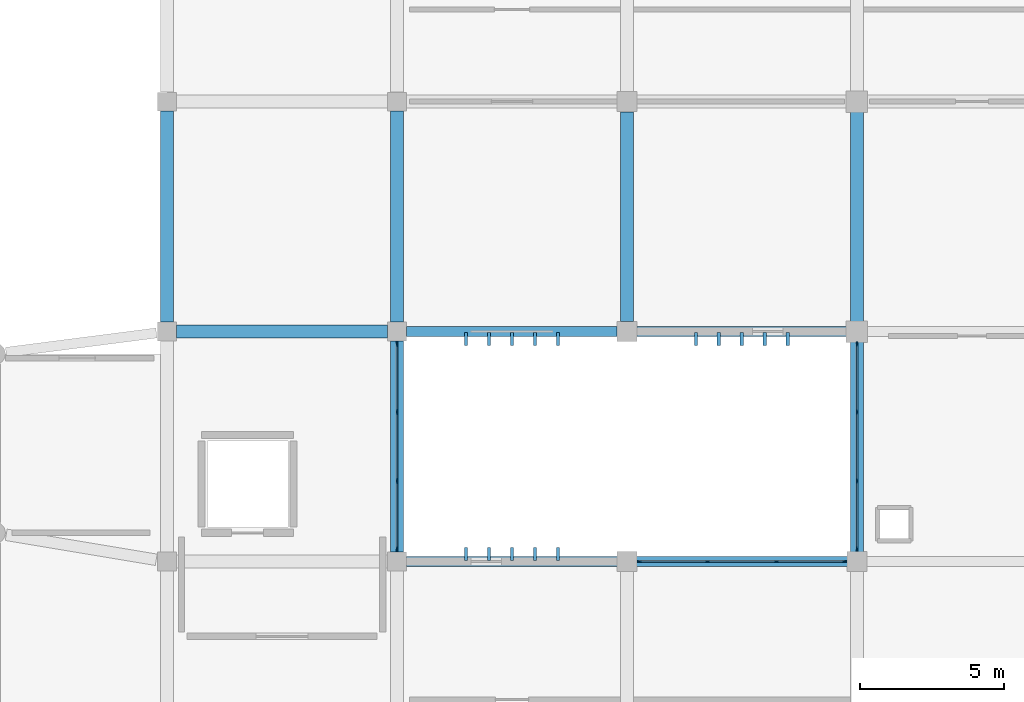
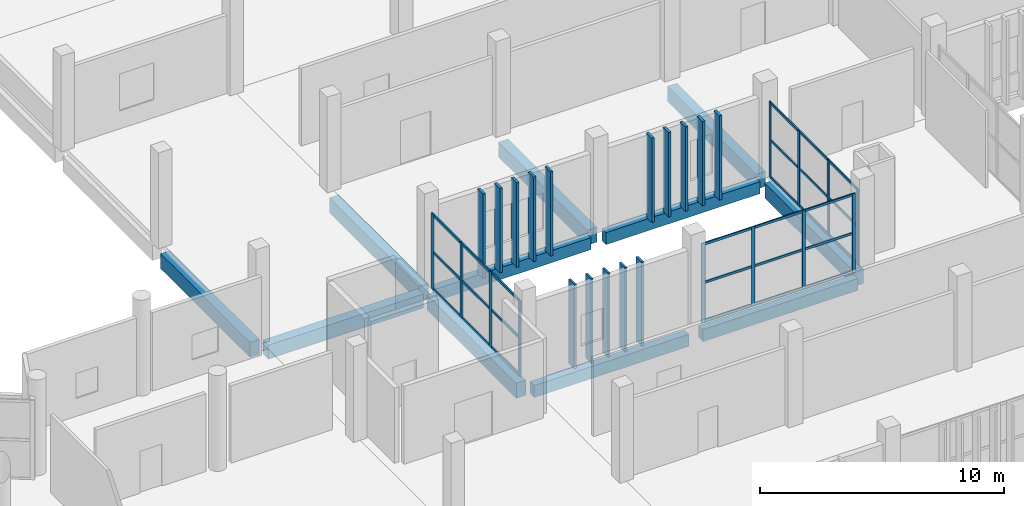
# One storey, part 31 of 106: 54 members, 11 beams, 3 elements without a shape of their own.
"""IFC4 building model written with IfcOpenShell, lengths in metres."""

from ifc_helpers import new_model, si_unit, direction, frame, origin, origin_2d, place, context, subcontext, project, spatial, rectangle, extrude, material, layer, layer_set, material_profile, profile_set, type_object, element, aggregate, save


model = new_model("IFC4")

# Units and contexts
model_context = context("Model", 3, precision=1e-05, world=origin(), true_north=direction((0.0, 1.0)))
body_context = subcontext(model_context, "Body", "Model", "MODEL_VIEW")
ifc_project = project(units=[si_unit("LENGTHUNIT", "METRE"), si_unit("AREAUNIT", "SQUARE_METRE"), si_unit("VOLUMEUNIT", "CUBIC_METRE"), si_unit("PLANEANGLEUNIT", "RADIAN"), si_unit("MASSUNIT", "GRAM", prefix="KILO")], contexts=[model_context])

# Site, building, storey
site_placement = place(None, origin())
site = spatial("IfcSite", under=ifc_project, at=site_placement, CompositionType="ELEMENT")
building_placement = place(site_placement, origin())
building = spatial("IfcBuilding", under=site, at=building_placement, Name="Jelvoka-Kovrelna Polytechnic", CompositionType="ELEMENT")
storey_placement = place(building_placement, frame((0.0, 0.0, 4.800048828125)))
storey = spatial("IfcBuildingStorey", under=building, at=storey_placement, Name="L02", CompositionType="ELEMENT", Elevation=4.800048828125)

# Beams
ifc_material_1 = material(Name="Concrete C40/50", Category="concrete")
ifc_material_profile_1 = material_profile(ifc_material_1, rectangle(XDim=0.449951171875, YDim=0.699951171875, at=origin_2d()), Name="RC 450x700")
ifc_profile_set_1 = profile_set([ifc_material_profile_1], Name="Concrete C40/50")
beam_type_1 = type_object("IfcBeamType", Name="Beam_RC_450x700", PredefinedType="BEAM", material=ifc_profile_set_1)
beam_1_placement = place(storey_placement, frame((48.330078125, 56.0, -0.614990234375), z_axis=(1.0, 0.0, 0.0), x_axis=(0.0, 1.0, 0.0)))
element("IfcBeam", 1, at=beam_1_placement, inside=storey, type_object=beam_type_1, Name="L02 beam 0844", PredefinedType="BEAM", context=body_context, shape_type="SweptSolid", body=[
    extrude(rectangle(XDim=0.449951171875, YDim=0.699951171875, at=origin_2d()), origin(), (0.0, 0.0, 1.0), 7.33984375),
])
ifc_material_2 = material(Name="Concrete C40/50", Category="concrete")
ifc_material_profile_2 = material_profile(ifc_material_2, rectangle(XDim=0.449951171875, YDim=0.75, at=origin_2d()), Name="RC 450x750")
ifc_profile_set_2 = profile_set([ifc_material_profile_2], Name="Concrete C40/50")
beam_type_2 = type_object("IfcBeamType", Name="Beam_RC_450x750", PredefinedType="BEAM", material=ifc_profile_set_2)
beam_2_placement = place(storey_placement, frame((56.0, 56.330078125, -0.64013671875), z_axis=(0.0, 1.0, 0.0), x_axis=(-1.0, 0.0, 0.0)))
element("IfcBeam", 2, at=beam_2_placement, inside=storey, type_object=beam_type_2, Name="L02 beam 0775", PredefinedType="BEAM", context=body_context, shape_type="SweptSolid", body=[
    extrude(rectangle(XDim=0.449951171875, YDim=0.75, at=origin_2d()), origin(), (0.0, 0.0, 1.0), 7.33984375),
])
for number, where, z_axis, x_axis, name in (
    (3, (64.0, 56.35498046875, -0.64013671875), (0.0, 1.0, 0.0), (-1.0, 0.0, 0.0), "L02 beam 0777"),
    (4, (72.0, 56.35498046875, -0.64013671875), (0.0, 1.0, 0.0), (-1.0, 0.0, 0.0), "L02 beam 0779"),
):
    element("IfcBeam", number, at=place(storey_placement, frame(where, z_axis=z_axis, x_axis=x_axis)), inside=storey, type_object=beam_type_2, Name=name, PredefinedType="BEAM", context=body_context, shape_type="SweptSolid", body=[
        extrude(rectangle(XDim=0.449951171875, YDim=0.75, at=origin_2d()), origin(), (0.0, 0.0, 1.0), 7.2900390625),
    ])
for number, where, z_axis, x_axis, name in (
    (5, (48.0, 56.330078125, -0.64013671875), (0.0, 1.0, 0.0), (-1.0, 0.0, 0.0), "L02 beam 0851"),
    (6, (56.0, 48.330078125, -0.64013671875), (0.0, 1.0, 0.0), (-1.0, 0.0, 0.0), "L02 beam 0854"),
):
    element("IfcBeam", number, at=place(storey_placement, frame(where, z_axis=z_axis, x_axis=x_axis)), inside=storey, type_object=beam_type_2, Name=name, PredefinedType="BEAM", context=body_context, shape_type="SweptSolid", body=[
        extrude(rectangle(XDim=0.449951171875, YDim=0.75, at=origin_2d()), origin(), (0.0, 0.0, 1.0), 7.33984375),
    ])
beam_3_placement = place(storey_placement, frame((72.0, 48.330078125, -0.64013671875), z_axis=(0.0, 1.0, 0.0), x_axis=(-1.0, 0.0, 0.0)))
element("IfcBeam", 7, at=beam_3_placement, inside=storey, type_object=beam_type_2, Name="L02 beam 0859", PredefinedType="BEAM", context=body_context, shape_type="SweptSolid", body=[
    extrude(rectangle(XDim=0.449951171875, YDim=0.75, at=origin_2d()), origin(), (0.0, 0.0, 1.0), 7.31494140625),
])

# Members
ifc_material_3 = material(Name="Precast concrete C40/50", Category="concrete")
ifc_material_profile_3 = material_profile(ifc_material_3, rectangle(XDim=0.10009765625, YDim=0.449951171875, at=origin_2d()), Name="PC 100x450")
ifc_profile_set_3 = profile_set([ifc_material_profile_3], Name="Precast concrete C40/50")
member_type_1 = type_object("IfcMemberType", Name="Louvre_Fin_100x450", PredefinedType="USERDEFINED", material=ifc_profile_set_3)
for number, where, z_axis, x_axis, name in (
    (8, (58.39990234375, 48.264892578125, -0.27001953125), (0.0, 0.0, 1.0), (1.0, 0.0, 0.0), "L02 B2W north vertical solar louvre fin 0606"),
    (9, (59.199951171875, 48.264892578125, -0.27001953125), (0.0, 0.0, 1.0), (1.0, 0.0, 0.0), "L02 B2W north vertical solar louvre fin 0607"),
    (10, (60.0, 48.264892578125, -0.27001953125), (0.0, 0.0, 1.0), (1.0, 0.0, 0.0), "L02 B2W north vertical solar louvre fin 0608"),
    (11, (60.800048828125, 48.264892578125, -0.27001953125), (0.0, 0.0, 1.0), (1.0, 0.0, 0.0), "L02 B2W north vertical solar louvre fin 0609"),
    (12, (61.60009765625, 48.264892578125, -0.27001953125), (0.0, 0.0, 1.0), (1.0, 0.0, 0.0), "L02 B2W north vertical solar louvre fin 0610"),
):
    element("IfcMember", number, at=place(storey_placement, frame(where, z_axis=z_axis, x_axis=x_axis)), inside=storey, type_object=member_type_1, Name=name, ObjectType="SUNSHADE", PredefinedType="USERDEFINED", context=body_context, shape_type="SweptSolid", body=[
        extrude(rectangle(XDim=0.10009765625, YDim=0.449951171875, at=origin_2d()), origin(), (0.0, 0.0, 1.0), 4.22998046875),
    ])
ifc_material_4 = material(Name="Precast concrete C40/50", Category="concrete")
ifc_material_profile_4 = material_profile(ifc_material_4, rectangle(XDim=0.1201171875, YDim=0.449951171875, at=origin_2d()), Name="PC 120x450")
ifc_profile_set_4 = profile_set([ifc_material_profile_4], Name="Precast concrete C40/50")
member_type_2 = type_object("IfcMemberType", Name="Louvre_Fin_120x450", PredefinedType="USERDEFINED", material=ifc_profile_set_4)
for number, where, z_axis, x_axis, name in (
    (13, (58.39990234375, 55.735107421875, -0.27001953125), (0.0, 0.0, 1.0), (1.0, 0.0, 0.0), "L02 B3 south vertical solar louvre fin 1321"),
    (14, (59.199951171875, 55.735107421875, -0.27001953125), (0.0, 0.0, 1.0), (1.0, 0.0, 0.0), "L02 B3 south vertical solar louvre fin 1322"),
    (15, (60.0, 55.735107421875, -0.27001953125), (0.0, 0.0, 1.0), (1.0, 0.0, 0.0), "L02 B3 south vertical solar louvre fin 1323"),
    (16, (60.800048828125, 55.735107421875, -0.27001953125), (0.0, 0.0, 1.0), (1.0, 0.0, 0.0), "L02 B3 south vertical solar louvre fin 1324"),
    (17, (61.60009765625, 55.735107421875, -0.27001953125), (0.0, 0.0, 1.0), (1.0, 0.0, 0.0), "L02 B3 south vertical solar louvre fin 1325"),
    (18, (66.39990234375, 55.735107421875, -0.27001953125), (0.0, 0.0, 1.0), (1.0, 0.0, 0.0), "L02 B3 south vertical solar louvre fin 1326"),
    (19, (67.199951171875, 55.735107421875, -0.27001953125), (0.0, 0.0, 1.0), (1.0, 0.0, 0.0), "L02 B3 south vertical solar louvre fin 1327"),
    (20, (68.0, 55.735107421875, -0.27001953125), (0.0, 0.0, 1.0), (1.0, 0.0, 0.0), "L02 B3 south vertical solar louvre fin 1328"),
    (21, (68.800048828125, 55.735107421875, -0.27001953125), (0.0, 0.0, 1.0), (1.0, 0.0, 0.0), "L02 B3 south vertical solar louvre fin 1329"),
    (22, (69.60009765625, 55.735107421875, -0.27001953125), (0.0, 0.0, 1.0), (1.0, 0.0, 0.0), "L02 B3 south vertical solar louvre fin 1330"),
):
    element("IfcMember", number, at=place(storey_placement, frame(where, z_axis=z_axis, x_axis=x_axis)), inside=storey, type_object=member_type_2, Name=name, ObjectType="SUNSHADE", PredefinedType="USERDEFINED", context=body_context, shape_type="SweptSolid", body=[
        extrude(rectangle(XDim=0.1201171875, YDim=0.449951171875, at=origin_2d()), origin(), (0.0, 0.0, 1.0), 4.22998046875),
    ])

# Curtain wall, members
ifc_material_5 = material(Name="Anodised aluminium 6063-T6", Category="aluminium")
ifc_layer_1 = layer(ifc_material_5, 0.159912109375)
ifc_layer_set_1 = layer_set([ifc_layer_1], Name="Anodised aluminium 6063-T6")
curtain_wall_type_1 = type_object("IfcCurtainWallType", Name="CW_Recessed_A", PredefinedType="NOTDEFINED", material=ifc_layer_set_1)
curtain_wall_1_placement = place(storey_placement, origin())
curtain_wall_1 = element("IfcCurtainWall", 23, at=curtain_wall_1_placement, inside=storey, type_object=curtain_wall_type_1, Name="L02 glazed curtain wall 016", PredefinedType="NOTDEFINED")
ifc_material_6 = material(Name="Anodised aluminium 6063-T6", Category="aluminium")
ifc_material_profile_5 = material_profile(ifc_material_6, rectangle(XDim=0.06005859375, YDim=0.159912109375, at=origin_2d()), Name="ALU 60x160")
ifc_profile_set_5 = profile_set([ifc_material_profile_5], Name="Anodised aluminium 6063-T6")
member_type_3 = type_object("IfcMemberType", Name="Mullion_M-01", PredefinedType="MULLION", material=ifc_profile_set_5)
member_1_placement = place(storey_placement, frame((64.429931640625, 48.0, -0.02490234375), z_axis=(0.0, 0.0, 1.0), x_axis=(0.0, 1.0, 0.0)))
member_1 = element("IfcMember", 24, at=member_1_placement, type_object=member_type_3, Name="CW-01 mullion 1", PredefinedType="MULLION", context=body_context, shape_type="SweptSolid", body=[
    extrude(rectangle(XDim=0.06005859375, YDim=0.159912109375, at=origin_2d()), origin(), (0.0, 0.0, 1.0), 3.9599609375),
])
member_2_placement = place(storey_placement, frame((66.800048828125, 48.0, -0.02490234375), z_axis=(0.0, 0.0, 1.0), x_axis=(0.0, 1.0, 0.0)))
member_2 = element("IfcMember", 25, at=member_2_placement, type_object=member_type_3, Name="CW-01 mullion 2", PredefinedType="MULLION", context=body_context, shape_type="SweptSolid", body=[
    extrude(rectangle(XDim=0.06005859375, YDim=0.159912109375, at=origin_2d()), origin(), (0.0, 0.0, 1.0), 3.9599609375),
])
member_3_placement = place(storey_placement, frame((69.199951171875, 48.0, -0.02490234375), z_axis=(0.0, 0.0, 1.0), x_axis=(0.0, 1.0, 0.0)))
member_3 = element("IfcMember", 26, at=member_3_placement, type_object=member_type_3, Name="CW-01 mullion 3", PredefinedType="MULLION", context=body_context, shape_type="SweptSolid", body=[
    extrude(rectangle(XDim=0.06005859375, YDim=0.159912109375, at=origin_2d()), origin(), (0.0, 0.0, 1.0), 3.9599609375),
])
member_4_placement = place(storey_placement, frame((71.570068359375, 48.0, -0.02490234375), z_axis=(0.0, 0.0, 1.0), x_axis=(0.0, 1.0, 0.0)))
member_4 = element("IfcMember", 27, at=member_4_placement, type_object=member_type_3, Name="CW-01 mullion 4", PredefinedType="MULLION", context=body_context, shape_type="SweptSolid", body=[
    extrude(rectangle(XDim=0.06005859375, YDim=0.159912109375, at=origin_2d()), origin(), (0.0, 0.0, 1.0), 3.9599609375),
])

ifc_material_7 = material(Name="Anodised aluminium 6063-T6", Category="aluminium")
ifc_layer_2 = layer(ifc_material_7, 0.159912109375)
ifc_layer_set_2 = layer_set([ifc_layer_2], Name="Anodised aluminium 6063-T6")
curtain_wall_type_2 = type_object("IfcCurtainWallType", Name="CW_LinkBridge", PredefinedType="NOTDEFINED", material=ifc_layer_set_2)
curtain_wall_2_placement = place(storey_placement, origin())
curtain_wall_2 = element("IfcCurtainWall", 28, at=curtain_wall_2_placement, inside=storey, type_object=curtain_wall_type_2, Name="L02 glazed curtain wall 112", PredefinedType="NOTDEFINED")
ifc_material_8 = material(Name="Anodised aluminium 6063-T6", Category="aluminium")
ifc_material_profile_6 = material_profile(ifc_material_8, rectangle(XDim=0.06005859375, YDim=0.159912109375, at=origin_2d()), Name="ALU 60x160")
ifc_profile_set_6 = profile_set([ifc_material_profile_6], Name="Anodised aluminium 6063-T6")
member_type_4 = type_object("IfcMemberType", Name="Mullion_M-04", PredefinedType="MULLION", material=ifc_profile_set_6)
member_5_placement = place(storey_placement, frame((72.0, 48.429931640625, -0.02490234375), z_axis=(0.0, 0.0, 1.0), x_axis=(-1.0, 0.0, 0.0)))
member_5 = element("IfcMember", 29, at=member_5_placement, type_object=member_type_4, Name="CW-04 mullion 1", PredefinedType="MULLION", context=body_context, shape_type="SweptSolid", body=[
    extrude(rectangle(XDim=0.06005859375, YDim=0.159912109375, at=origin_2d()), origin(), (0.0, 0.0, 1.0), 3.81005859375),
])
member_6_placement = place(storey_placement, frame((72.0, 50.800048828125, -0.02490234375), z_axis=(0.0, 0.0, 1.0), x_axis=(-1.0, 0.0, 0.0)))
member_6 = element("IfcMember", 30, at=member_6_placement, type_object=member_type_4, Name="CW-04 mullion 2", PredefinedType="MULLION", context=body_context, shape_type="SweptSolid", body=[
    extrude(rectangle(XDim=0.06005859375, YDim=0.159912109375, at=origin_2d()), origin(), (0.0, 0.0, 1.0), 3.81005859375),
])
member_7_placement = place(storey_placement, frame((72.0, 53.199951171875, -0.02490234375), z_axis=(0.0, 0.0, 1.0), x_axis=(-1.0, 0.0, 0.0)))
member_7 = element("IfcMember", 31, at=member_7_placement, type_object=member_type_4, Name="CW-04 mullion 3", PredefinedType="MULLION", context=body_context, shape_type="SweptSolid", body=[
    extrude(rectangle(XDim=0.06005859375, YDim=0.159912109375, at=origin_2d()), origin(), (0.0, 0.0, 1.0), 3.81005859375),
])
member_8_placement = place(storey_placement, frame((72.0, 55.570068359375, -0.02490234375), z_axis=(0.0, 0.0, 1.0), x_axis=(-1.0, 0.0, 0.0)))
member_8 = element("IfcMember", 32, at=member_8_placement, type_object=member_type_4, Name="CW-04 mullion 4", PredefinedType="MULLION", context=body_context, shape_type="SweptSolid", body=[
    extrude(rectangle(XDim=0.06005859375, YDim=0.159912109375, at=origin_2d()), origin(), (0.0, 0.0, 1.0), 3.81005859375),
])

ifc_material_9 = material(Name="Anodised aluminium 6063-T6", Category="aluminium")
ifc_layer_3 = layer(ifc_material_9, 0.179931640625)
ifc_layer_set_3 = layer_set([ifc_layer_3], Name="Anodised aluminium 6063-T6")
curtain_wall_type_3 = type_object("IfcCurtainWallType", Name="CW_Pavilion", PredefinedType="NOTDEFINED", material=ifc_layer_set_3)
curtain_wall_3_placement = place(storey_placement, origin())
curtain_wall_3 = element("IfcCurtainWall", 33, at=curtain_wall_3_placement, inside=storey, type_object=curtain_wall_type_3, Name="L02 glazed curtain wall 119", PredefinedType="NOTDEFINED")
ifc_material_10 = material(Name="Anodised aluminium 6063-T6", Category="aluminium")
ifc_material_profile_7 = material_profile(ifc_material_10, rectangle(XDim=0.06494140625, YDim=0.179931640625, at=origin_2d()), Name="ALU 65x180")
ifc_profile_set_7 = profile_set([ifc_material_profile_7], Name="Anodised aluminium 6063-T6")
member_type_5 = type_object("IfcMemberType", Name="Mullion_M-05", PredefinedType="MULLION", material=ifc_profile_set_7)
member_9_placement = place(storey_placement, frame((56.0, 55.5673828125, -0.02490234375), z_axis=(0.0, 0.0, 1.0), x_axis=(1.0, 0.0, 0.0)))
member_9 = element("IfcMember", 34, at=member_9_placement, type_object=member_type_5, Name="CW-05 mullion 1", PredefinedType="MULLION", context=body_context, shape_type="SweptSolid", body=[
    extrude(rectangle(XDim=0.06494140625, YDim=0.179931640625, at=origin_2d()), origin(), (0.0, 0.0, 1.0), 3.81005859375),
])
member_10_placement = place(storey_placement, frame((56.0, 53.199951171875, -0.02490234375), z_axis=(0.0, 0.0, 1.0), x_axis=(1.0, 0.0, 0.0)))
member_10 = element("IfcMember", 35, at=member_10_placement, type_object=member_type_5, Name="CW-05 mullion 2", PredefinedType="MULLION", context=body_context, shape_type="SweptSolid", body=[
    extrude(rectangle(XDim=0.06494140625, YDim=0.179931640625, at=origin_2d()), origin(), (0.0, 0.0, 1.0), 3.81005859375),
])
member_11_placement = place(storey_placement, frame((56.0, 50.800048828125, -0.02490234375), z_axis=(0.0, 0.0, 1.0), x_axis=(1.0, 0.0, 0.0)))
member_11 = element("IfcMember", 36, at=member_11_placement, type_object=member_type_5, Name="CW-05 mullion 3", PredefinedType="MULLION", context=body_context, shape_type="SweptSolid", body=[
    extrude(rectangle(XDim=0.06494140625, YDim=0.179931640625, at=origin_2d()), origin(), (0.0, 0.0, 1.0), 3.81005859375),
])
member_12_placement = place(storey_placement, frame((56.0, 48.4326171875, -0.02490234375), z_axis=(0.0, 0.0, 1.0), x_axis=(1.0, 0.0, 0.0)))
member_12 = element("IfcMember", 37, at=member_12_placement, type_object=member_type_5, Name="CW-05 mullion 4", PredefinedType="MULLION", context=body_context, shape_type="SweptSolid", body=[
    extrude(rectangle(XDim=0.06494140625, YDim=0.179931640625, at=origin_2d()), origin(), (0.0, 0.0, 1.0), 3.81005859375),
])

# Beams
ifc_material_11 = material(Name="Concrete C40/50", Category="concrete")
ifc_material_profile_8 = material_profile(ifc_material_11, rectangle(XDim=0.35009765625, YDim=0.60009765625, at=origin_2d()), Name="RC 350x600")
ifc_profile_set_8 = profile_set([ifc_material_profile_8], Name="Concrete C40/50")
beam_type_3 = type_object("IfcBeamType", Name="Spandrel_RC_350x600", PredefinedType="SPANDREL", material=ifc_profile_set_8)
for number, where, z_axis, x_axis, name in (
    (38, (56.330078125, 48.0, -0.56494140625), (1.0, 0.0, 0.0), (0.0, 1.0, 0.0), "L02 beam 0691"),
    (39, (64.330078125, 48.0, -0.56494140625), (1.0, 0.0, 0.0), (0.0, 1.0, 0.0), "L02 beam 0692"),
):
    element("IfcBeam", number, at=place(storey_placement, frame(where, z_axis=z_axis, x_axis=x_axis)), inside=storey, type_object=beam_type_3, Name=name, PredefinedType="SPANDREL", context=body_context, shape_type="SweptSolid", body=[
        extrude(rectangle(XDim=0.35009765625, YDim=0.60009765625, at=origin_2d()), origin(), (0.0, 0.0, 1.0), 7.33984375),
    ])
beam_4_placement = place(storey_placement, frame((56.330078125, 56.0, -0.56494140625), z_axis=(1.0, 0.0, 0.0), x_axis=(0.0, 1.0, 0.0)))
element("IfcBeam", 40, at=beam_4_placement, inside=storey, type_object=beam_type_3, Name="L02 beam 0755", PredefinedType="SPANDREL", context=body_context, shape_type="SweptSolid", body=[
    extrude(rectangle(XDim=0.35009765625, YDim=0.60009765625, at=origin_2d()), origin(), (0.0, 0.0, 1.0), 7.31494140625),
])
beam_5_placement = place(storey_placement, frame((64.35498046875, 56.0, -0.56494140625), z_axis=(1.0, 0.0, 0.0), x_axis=(0.0, 1.0, 0.0)))
element("IfcBeam", 41, at=beam_5_placement, inside=storey, type_object=beam_type_3, Name="L02 beam 0756", PredefinedType="SPANDREL", context=body_context, shape_type="SweptSolid", body=[
    extrude(rectangle(XDim=0.35009765625, YDim=0.60009765625, at=origin_2d()), origin(), (0.0, 0.0, 1.0), 7.2900390625),
])

# Member
ifc_material_12 = material(Name="Anodised aluminium 6063-T6", Category="aluminium")
ifc_material_profile_9 = material_profile(ifc_material_12, rectangle(XDim=0.06005859375, YDim=0.1201171875, at=origin_2d()), Name="ALU 60x120")
ifc_profile_set_9 = profile_set([ifc_material_profile_9], Name="Anodised aluminium 6063-T6")
member_type_6 = type_object("IfcMemberType", Name="Transom_T-01", PredefinedType="USERDEFINED", material=ifc_profile_set_9)
member_13_placement = place(storey_placement, frame((64.4599609375, 48.0, 0.030029296875), z_axis=(1.0, 0.0, 0.0), x_axis=(0.0, 1.0, 0.0)))
member_13 = element("IfcMember", 42, at=member_13_placement, type_object=member_type_6, Name="CW-01 transom 1.1", ObjectType="TRANSOM", PredefinedType="USERDEFINED", context=body_context, shape_type="SweptSolid", body=[
    extrude(rectangle(XDim=0.06005859375, YDim=0.1201171875, at=origin_2d()), origin(), (0.0, 0.0, 1.0), 2.31005859375),
])

member_14_placement = place(storey_placement, frame((64.4599609375, 48.0, 1.954833984375), z_axis=(1.0, 0.0, 0.0), x_axis=(0.0, 1.0, 0.0)))
member_14 = element("IfcMember", 43, at=member_14_placement, type_object=member_type_6, Name="CW-01 transom 1.2", ObjectType="TRANSOM", PredefinedType="USERDEFINED", context=body_context, shape_type="SweptSolid", body=[
    extrude(rectangle(XDim=0.06005859375, YDim=0.1201171875, at=origin_2d()), origin(), (0.0, 0.0, 1.0), 2.31005859375),
])

member_15_placement = place(storey_placement, frame((64.4599609375, 48.0, 3.8798828125), z_axis=(1.0, 0.0, 0.0), x_axis=(0.0, 1.0, 0.0)))
member_15 = element("IfcMember", 44, at=member_15_placement, type_object=member_type_6, Name="CW-01 transom 1.3", ObjectType="TRANSOM", PredefinedType="USERDEFINED", context=body_context, shape_type="SweptSolid", body=[
    extrude(rectangle(XDim=0.06005859375, YDim=0.1201171875, at=origin_2d()), origin(), (0.0, 0.0, 1.0), 2.31005859375),
])

member_16_placement = place(storey_placement, frame((66.830078125, 48.0, 0.030029296875), z_axis=(1.0, 0.0, 0.0), x_axis=(0.0, 1.0, 0.0)))
member_16 = element("IfcMember", 45, at=member_16_placement, type_object=member_type_6, Name="CW-01 transom 2.1", ObjectType="TRANSOM", PredefinedType="USERDEFINED", context=body_context, shape_type="SweptSolid", body=[
    extrude(rectangle(XDim=0.06005859375, YDim=0.1201171875, at=origin_2d()), origin(), (0.0, 0.0, 1.0), 2.33984375),
])

member_17_placement = place(storey_placement, frame((66.830078125, 48.0, 1.954833984375), z_axis=(1.0, 0.0, 0.0), x_axis=(0.0, 1.0, 0.0)))
member_17 = element("IfcMember", 46, at=member_17_placement, type_object=member_type_6, Name="CW-01 transom 2.2", ObjectType="TRANSOM", PredefinedType="USERDEFINED", context=body_context, shape_type="SweptSolid", body=[
    extrude(rectangle(XDim=0.06005859375, YDim=0.1201171875, at=origin_2d()), origin(), (0.0, 0.0, 1.0), 2.33984375),
])

member_18_placement = place(storey_placement, frame((66.830078125, 48.0, 3.8798828125), z_axis=(1.0, 0.0, 0.0), x_axis=(0.0, 1.0, 0.0)))
member_18 = element("IfcMember", 47, at=member_18_placement, type_object=member_type_6, Name="CW-01 transom 2.3", ObjectType="TRANSOM", PredefinedType="USERDEFINED", context=body_context, shape_type="SweptSolid", body=[
    extrude(rectangle(XDim=0.06005859375, YDim=0.1201171875, at=origin_2d()), origin(), (0.0, 0.0, 1.0), 2.33984375),
])

member_19_placement = place(storey_placement, frame((69.22998046875, 48.0, 0.030029296875), z_axis=(1.0, 0.0, 0.0), x_axis=(0.0, 1.0, 0.0)))
member_19 = element("IfcMember", 48, at=member_19_placement, type_object=member_type_6, Name="CW-01 transom 3.1", ObjectType="TRANSOM", PredefinedType="USERDEFINED", context=body_context, shape_type="SweptSolid", body=[
    extrude(rectangle(XDim=0.06005859375, YDim=0.1201171875, at=origin_2d()), origin(), (0.0, 0.0, 1.0), 2.31005859375),
])

member_20_placement = place(storey_placement, frame((69.22998046875, 48.0, 1.954833984375), z_axis=(1.0, 0.0, 0.0), x_axis=(0.0, 1.0, 0.0)))
member_20 = element("IfcMember", 49, at=member_20_placement, type_object=member_type_6, Name="CW-01 transom 3.2", ObjectType="TRANSOM", PredefinedType="USERDEFINED", context=body_context, shape_type="SweptSolid", body=[
    extrude(rectangle(XDim=0.06005859375, YDim=0.1201171875, at=origin_2d()), origin(), (0.0, 0.0, 1.0), 2.31005859375),
])

member_21_placement = place(storey_placement, frame((69.22998046875, 48.0, 3.8798828125), z_axis=(1.0, 0.0, 0.0), x_axis=(0.0, 1.0, 0.0)))
member_21 = element("IfcMember", 50, at=member_21_placement, type_object=member_type_6, Name="CW-01 transom 3.3", ObjectType="TRANSOM", PredefinedType="USERDEFINED", context=body_context, shape_type="SweptSolid", body=[
    extrude(rectangle(XDim=0.06005859375, YDim=0.1201171875, at=origin_2d()), origin(), (0.0, 0.0, 1.0), 2.31005859375),
])

aggregate(curtain_wall_1, [member_1, member_2, member_3, member_4, member_13, member_14, member_15, member_16, member_17, member_18, member_19, member_20, member_21])

ifc_material_13 = material(Name="Anodised aluminium 6063-T6", Category="aluminium")
ifc_material_profile_10 = material_profile(ifc_material_13, rectangle(XDim=0.06005859375, YDim=0.1201171875, at=origin_2d()), Name="ALU 60x120")
ifc_profile_set_10 = profile_set([ifc_material_profile_10], Name="Anodised aluminium 6063-T6")
member_type_7 = type_object("IfcMemberType", Name="Transom_T-04", PredefinedType="USERDEFINED", material=ifc_profile_set_10)
member_22_placement = place(storey_placement, frame((72.0, 48.4599609375, 0.030029296875), z_axis=(0.0, 1.0, 0.0), x_axis=(-1.0, 0.0, 0.0)))
member_22 = element("IfcMember", 51, at=member_22_placement, type_object=member_type_7, Name="CW-04 transom 1.1", ObjectType="TRANSOM", PredefinedType="USERDEFINED", context=body_context, shape_type="SweptSolid", body=[
    extrude(rectangle(XDim=0.06005859375, YDim=0.1201171875, at=origin_2d()), origin(), (0.0, 0.0, 1.0), 2.31005859375),
])

member_23_placement = place(storey_placement, frame((72.0, 48.4599609375, 1.8798828125), z_axis=(0.0, 1.0, 0.0), x_axis=(-1.0, 0.0, 0.0)))
member_23 = element("IfcMember", 52, at=member_23_placement, type_object=member_type_7, Name="CW-04 transom 1.2", ObjectType="TRANSOM", PredefinedType="USERDEFINED", context=body_context, shape_type="SweptSolid", body=[
    extrude(rectangle(XDim=0.06005859375, YDim=0.1201171875, at=origin_2d()), origin(), (0.0, 0.0, 1.0), 2.31005859375),
])

member_24_placement = place(storey_placement, frame((72.0, 48.4599609375, 3.72998046875), z_axis=(0.0, 1.0, 0.0), x_axis=(-1.0, 0.0, 0.0)))
member_24 = element("IfcMember", 53, at=member_24_placement, type_object=member_type_7, Name="CW-04 transom 1.3", ObjectType="TRANSOM", PredefinedType="USERDEFINED", context=body_context, shape_type="SweptSolid", body=[
    extrude(rectangle(XDim=0.06005859375, YDim=0.1201171875, at=origin_2d()), origin(), (0.0, 0.0, 1.0), 2.31005859375),
])

member_25_placement = place(storey_placement, frame((72.0, 50.830078125, 0.030029296875), z_axis=(0.0, 1.0, 0.0), x_axis=(-1.0, 0.0, 0.0)))
member_25 = element("IfcMember", 54, at=member_25_placement, type_object=member_type_7, Name="CW-04 transom 2.1", ObjectType="TRANSOM", PredefinedType="USERDEFINED", context=body_context, shape_type="SweptSolid", body=[
    extrude(rectangle(XDim=0.06005859375, YDim=0.1201171875, at=origin_2d()), origin(), (0.0, 0.0, 1.0), 2.33984375),
])

member_26_placement = place(storey_placement, frame((72.0, 50.830078125, 1.8798828125), z_axis=(0.0, 1.0, 0.0), x_axis=(-1.0, 0.0, 0.0)))
member_26 = element("IfcMember", 55, at=member_26_placement, type_object=member_type_7, Name="CW-04 transom 2.2", ObjectType="TRANSOM", PredefinedType="USERDEFINED", context=body_context, shape_type="SweptSolid", body=[
    extrude(rectangle(XDim=0.06005859375, YDim=0.1201171875, at=origin_2d()), origin(), (0.0, 0.0, 1.0), 2.33984375),
])

member_27_placement = place(storey_placement, frame((72.0, 50.830078125, 3.72998046875), z_axis=(0.0, 1.0, 0.0), x_axis=(-1.0, 0.0, 0.0)))
member_27 = element("IfcMember", 56, at=member_27_placement, type_object=member_type_7, Name="CW-04 transom 2.3", ObjectType="TRANSOM", PredefinedType="USERDEFINED", context=body_context, shape_type="SweptSolid", body=[
    extrude(rectangle(XDim=0.06005859375, YDim=0.1201171875, at=origin_2d()), origin(), (0.0, 0.0, 1.0), 2.33984375),
])

member_28_placement = place(storey_placement, frame((72.0, 53.22998046875, 0.030029296875), z_axis=(0.0, 1.0, 0.0), x_axis=(-1.0, 0.0, 0.0)))
member_28 = element("IfcMember", 57, at=member_28_placement, type_object=member_type_7, Name="CW-04 transom 3.1", ObjectType="TRANSOM", PredefinedType="USERDEFINED", context=body_context, shape_type="SweptSolid", body=[
    extrude(rectangle(XDim=0.06005859375, YDim=0.1201171875, at=origin_2d()), origin(), (0.0, 0.0, 1.0), 2.31005859375),
])

member_29_placement = place(storey_placement, frame((72.0, 53.22998046875, 1.8798828125), z_axis=(0.0, 1.0, 0.0), x_axis=(-1.0, 0.0, 0.0)))
member_29 = element("IfcMember", 58, at=member_29_placement, type_object=member_type_7, Name="CW-04 transom 3.2", ObjectType="TRANSOM", PredefinedType="USERDEFINED", context=body_context, shape_type="SweptSolid", body=[
    extrude(rectangle(XDim=0.06005859375, YDim=0.1201171875, at=origin_2d()), origin(), (0.0, 0.0, 1.0), 2.31005859375),
])

member_30_placement = place(storey_placement, frame((72.0, 53.22998046875, 3.72998046875), z_axis=(0.0, 1.0, 0.0), x_axis=(-1.0, 0.0, 0.0)))
member_30 = element("IfcMember", 59, at=member_30_placement, type_object=member_type_7, Name="CW-04 transom 3.3", ObjectType="TRANSOM", PredefinedType="USERDEFINED", context=body_context, shape_type="SweptSolid", body=[
    extrude(rectangle(XDim=0.06005859375, YDim=0.1201171875, at=origin_2d()), origin(), (0.0, 0.0, 1.0), 2.31005859375),
])

aggregate(curtain_wall_2, [member_5, member_6, member_7, member_8, member_22, member_23, member_24, member_25, member_26, member_27, member_28, member_29, member_30])

ifc_material_14 = material(Name="Anodised aluminium 6063-T6", Category="aluminium")
ifc_material_profile_11 = material_profile(ifc_material_14, rectangle(XDim=0.06494140625, YDim=0.135009765625, at=origin_2d()), Name="ALU 65x135")
ifc_profile_set_11 = profile_set([ifc_material_profile_11], Name="Anodised aluminium 6063-T6")
member_type_8 = type_object("IfcMemberType", Name="Transom_T-05", PredefinedType="USERDEFINED", material=ifc_profile_set_11)
member_31_placement = place(storey_placement, frame((56.0, 55.534912109375, 0.032470703125), z_axis=(0.0, -1.0, 0.0), x_axis=(1.0, 0.0, 0.0)))
member_31 = element("IfcMember", 60, at=member_31_placement, type_object=member_type_8, Name="CW-05 transom 1.1", ObjectType="TRANSOM", PredefinedType="USERDEFINED", context=body_context, shape_type="SweptSolid", body=[
    extrude(rectangle(XDim=0.06494140625, YDim=0.135009765625, at=origin_2d()), origin(), (0.0, 0.0, 1.0), 2.302490234375),
])

member_32_placement = place(storey_placement, frame((56.0, 55.534912109375, 1.8798828125), z_axis=(0.0, -1.0, 0.0), x_axis=(1.0, 0.0, 0.0)))
member_32 = element("IfcMember", 61, at=member_32_placement, type_object=member_type_8, Name="CW-05 transom 1.2", ObjectType="TRANSOM", PredefinedType="USERDEFINED", context=body_context, shape_type="SweptSolid", body=[
    extrude(rectangle(XDim=0.06494140625, YDim=0.135009765625, at=origin_2d()), origin(), (0.0, 0.0, 1.0), 2.302490234375),
])

member_33_placement = place(storey_placement, frame((56.0, 55.534912109375, 3.7275390625), z_axis=(0.0, -1.0, 0.0), x_axis=(1.0, 0.0, 0.0)))
member_33 = element("IfcMember", 62, at=member_33_placement, type_object=member_type_8, Name="CW-05 transom 1.3", ObjectType="TRANSOM", PredefinedType="USERDEFINED", context=body_context, shape_type="SweptSolid", body=[
    extrude(rectangle(XDim=0.06494140625, YDim=0.135009765625, at=origin_2d()), origin(), (0.0, 0.0, 1.0), 2.302490234375),
])

member_34_placement = place(storey_placement, frame((56.0, 53.16748046875, 0.032470703125), z_axis=(0.0, -1.0, 0.0), x_axis=(1.0, 0.0, 0.0)))
member_34 = element("IfcMember", 63, at=member_34_placement, type_object=member_type_8, Name="CW-05 transom 2.1", ObjectType="TRANSOM", PredefinedType="USERDEFINED", context=body_context, shape_type="SweptSolid", body=[
    extrude(rectangle(XDim=0.06494140625, YDim=0.135009765625, at=origin_2d()), origin(), (0.0, 0.0, 1.0), 2.3349609375),
])

member_35_placement = place(storey_placement, frame((56.0, 53.16748046875, 1.8798828125), z_axis=(0.0, -1.0, 0.0), x_axis=(1.0, 0.0, 0.0)))
member_35 = element("IfcMember", 64, at=member_35_placement, type_object=member_type_8, Name="CW-05 transom 2.2", ObjectType="TRANSOM", PredefinedType="USERDEFINED", context=body_context, shape_type="SweptSolid", body=[
    extrude(rectangle(XDim=0.06494140625, YDim=0.135009765625, at=origin_2d()), origin(), (0.0, 0.0, 1.0), 2.3349609375),
])

member_36_placement = place(storey_placement, frame((56.0, 53.16748046875, 3.7275390625), z_axis=(0.0, -1.0, 0.0), x_axis=(1.0, 0.0, 0.0)))
member_36 = element("IfcMember", 65, at=member_36_placement, type_object=member_type_8, Name="CW-05 transom 2.3", ObjectType="TRANSOM", PredefinedType="USERDEFINED", context=body_context, shape_type="SweptSolid", body=[
    extrude(rectangle(XDim=0.06494140625, YDim=0.135009765625, at=origin_2d()), origin(), (0.0, 0.0, 1.0), 2.3349609375),
])

member_37_placement = place(storey_placement, frame((56.0, 50.767578125, 0.032470703125), z_axis=(0.0, -1.0, 0.0), x_axis=(1.0, 0.0, 0.0)))
member_37 = element("IfcMember", 66, at=member_37_placement, type_object=member_type_8, Name="CW-05 transom 3.1", ObjectType="TRANSOM", PredefinedType="USERDEFINED", context=body_context, shape_type="SweptSolid", body=[
    extrude(rectangle(XDim=0.06494140625, YDim=0.135009765625, at=origin_2d()), origin(), (0.0, 0.0, 1.0), 2.302490234375),
])

member_38_placement = place(storey_placement, frame((56.0, 50.767578125, 1.8798828125), z_axis=(0.0, -1.0, 0.0), x_axis=(1.0, 0.0, 0.0)))
member_38 = element("IfcMember", 67, at=member_38_placement, type_object=member_type_8, Name="CW-05 transom 3.2", ObjectType="TRANSOM", PredefinedType="USERDEFINED", context=body_context, shape_type="SweptSolid", body=[
    extrude(rectangle(XDim=0.06494140625, YDim=0.135009765625, at=origin_2d()), origin(), (0.0, 0.0, 1.0), 2.302490234375),
])

member_39_placement = place(storey_placement, frame((56.0, 50.767578125, 3.7275390625), z_axis=(0.0, -1.0, 0.0), x_axis=(1.0, 0.0, 0.0)))
member_39 = element("IfcMember", 68, at=member_39_placement, type_object=member_type_8, Name="CW-05 transom 3.3", ObjectType="TRANSOM", PredefinedType="USERDEFINED", context=body_context, shape_type="SweptSolid", body=[
    extrude(rectangle(XDim=0.06494140625, YDim=0.135009765625, at=origin_2d()), origin(), (0.0, 0.0, 1.0), 2.302490234375),
])

aggregate(curtain_wall_3, [member_9, member_10, member_11, member_12, member_31, member_32, member_33, member_34, member_35, member_36, member_37, member_38, member_39])

save(model, "model.ifc")
